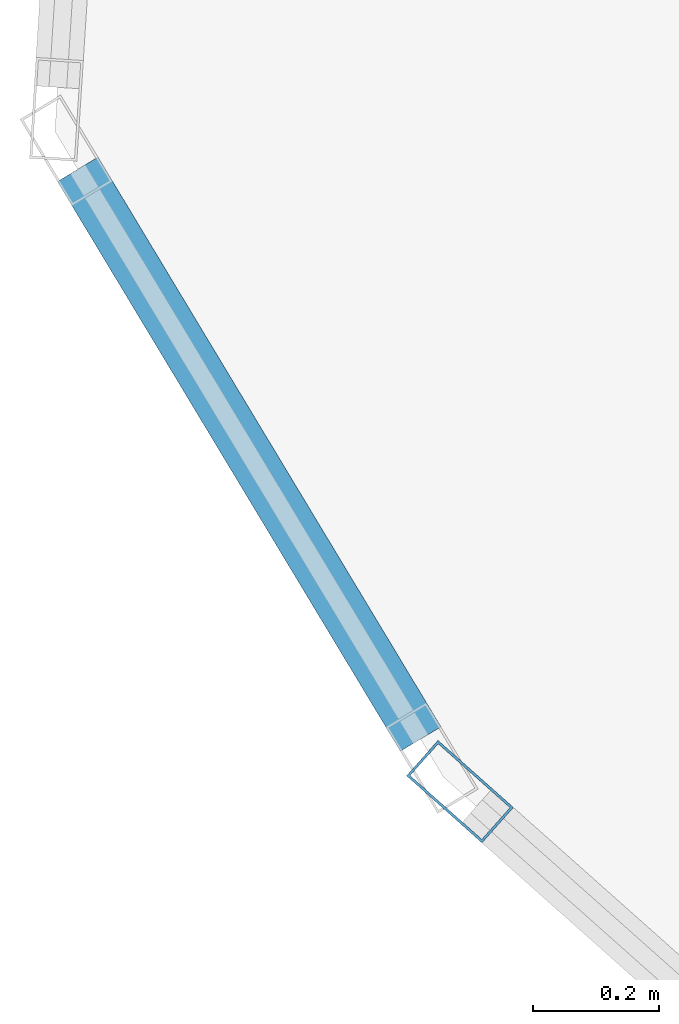
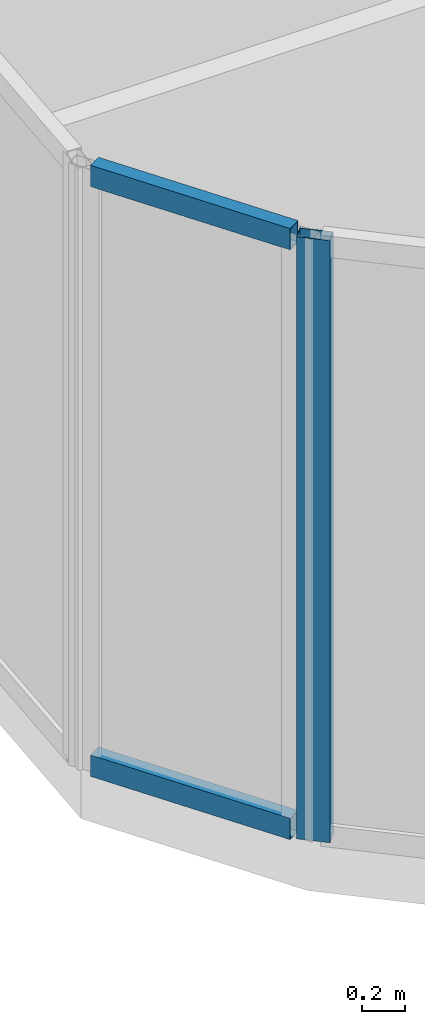
# One storey, part 4 of 27: 3 members, 2 elements without a shape of their own.
"""IFC4 building model written with IfcOpenShell, lengths in metres."""

from ifc_helpers import new_model, si_unit, direction, frame, origin, origin_2d, place, context, subcontext, project, spatial, hollow_rectangle, extrude, material, layer, layer_set, material_profile, profile_set, type_object, element, aggregate, save


model = new_model("IFC4")

# Units and contexts
model_context = context("Model", 3, precision=1e-05, world=origin(), true_north=direction((0.0, 1.0)))
body_context = subcontext(model_context, "Body", "Model", "MODEL_VIEW")
ifc_project = project(units=[si_unit("LENGTHUNIT", "METRE"), si_unit("AREAUNIT", "SQUARE_METRE"), si_unit("VOLUMEUNIT", "CUBIC_METRE"), si_unit("PLANEANGLEUNIT", "RADIAN"), si_unit("MASSUNIT", "GRAM", prefix="KILO")], contexts=[model_context])

# Site, building, storey
site_placement = place(None, origin())
site = spatial("IfcSite", under=ifc_project, at=site_placement, CompositionType="ELEMENT")
building_placement = place(site_placement, origin())
building = spatial("IfcBuilding", under=site, at=building_placement, Name="Keshet Zoharim Tower", CompositionType="ELEMENT")
storey_placement = place(building_placement, frame((0.0, 0.0, 307.300048828125)))
storey = spatial("IfcBuildingStorey", under=building, at=storey_placement, Name="L77", CompositionType="ELEMENT", Elevation=307.300048828125)

# Curtain wall, member
ifc_material = material(Name="Aluminium 6063-T6", Category="aluminium")
ifc_layer = layer(ifc_material, 0.260009765625)
ifc_layer_set = layer_set([ifc_layer], Name="Aluminium 6063-T6")
curtain_wall_type = type_object("IfcCurtainWallType", Name="CW-SYS-06", PredefinedType="NOTDEFINED", material=ifc_layer_set)
curtain_wall_1_placement = place(storey_placement, origin())
curtain_wall_1 = element("IfcCurtainWall", 1, at=curtain_wall_1_placement, inside=storey, type_object=curtain_wall_type, Name="L77 Unitised Curtain Wall 16 Part 3", PredefinedType="NOTDEFINED")
ifc_material_profile_1 = material_profile(ifc_material, hollow_rectangle(XDim=0.074951171875, YDim=0.159912109375, WallThickness=0.00390625, at=origin_2d()), Name="MUL-75x160")
ifc_profile_set_1 = profile_set([ifc_material_profile_1], Name="Aluminium 6063-T6")
member_type_1 = type_object("IfcMemberType", Name="CWM-M15", PredefinedType="MULLION", material=ifc_profile_set_1)
member_1_placement = place(storey_placement, frame((4.061279296875, 21.7568359375, 0.0), z_axis=(0.0, 0.0, 1.0), x_axis=(-0.664363838836, -0.747409318679, 0.0)))
member_1 = element("IfcMember", 2, at=member_1_placement, type_object=member_type_1, Name="CW-06 mullion 2", PredefinedType="MULLION", context=body_context, shape_type="SweptSolid", body=[
    extrude(hollow_rectangle(XDim=0.074951171875, YDim=0.159912109375, WallThickness=0.00390625, at=origin_2d()), origin(), (0.0, 0.0, 1.0), 3.389892578125),
])
aggregate(curtain_wall_1, [member_1])

# Curtain wall, members
curtain_wall_2_placement = place(storey_placement, origin())
curtain_wall_2 = element("IfcCurtainWall", 3, at=curtain_wall_2_placement, inside=storey, type_object=curtain_wall_type, Name="L77 Unitised Curtain Wall 01", PredefinedType="NOTDEFINED")
ifc_material_profile_2 = material_profile(ifc_material, hollow_rectangle(XDim=0.074951171875, YDim=0.1201171875, WallThickness=0.00390625, at=origin_2d()), Name="TRN-75x120")
ifc_profile_set_2 = profile_set([ifc_material_profile_2], Name="Aluminium 6063-T6")
member_type_2 = type_object("IfcMemberType", Name="CWT-T12", PredefinedType="USERDEFINED", material=ifc_profile_set_2)
member_2_placement = place(storey_placement, frame((3.9990234375, 21.840087890625, 0.034912109375), z_axis=(-0.515791194107, 0.856714330499, 0.0), x_axis=(-0.856714330499, -0.515791194107, 0.0)))
member_2 = element("IfcMember", 4, at=member_2_placement, type_object=member_type_2, Name="CW-06 transom 1.1", ObjectType="TRANSOM", PredefinedType="USERDEFINED", context=body_context, shape_type="SweptSolid", body=[
    extrude(hollow_rectangle(XDim=0.074951171875, YDim=0.1201171875, WallThickness=0.00390625, at=origin_2d()), origin(), (0.0, 0.0, 1.0), 1.052734375),
])
member_3_placement = place(storey_placement, frame((3.9990234375, 21.840087890625, 3.35498046875), z_axis=(-0.515791194107, 0.856714330499, 0.0), x_axis=(-0.856714330499, -0.515791194107, 0.0)))
member_3 = element("IfcMember", 5, at=member_3_placement, type_object=member_type_2, Name="CW-06 transom 1.2", ObjectType="TRANSOM", PredefinedType="USERDEFINED", context=body_context, shape_type="SweptSolid", body=[
    extrude(hollow_rectangle(XDim=0.074951171875, YDim=0.1201171875, WallThickness=0.00390625, at=origin_2d()), origin(), (0.0, 0.0, 1.0), 1.052734375),
])
aggregate(curtain_wall_2, [member_2, member_3])

save(model, "model.ifc")
